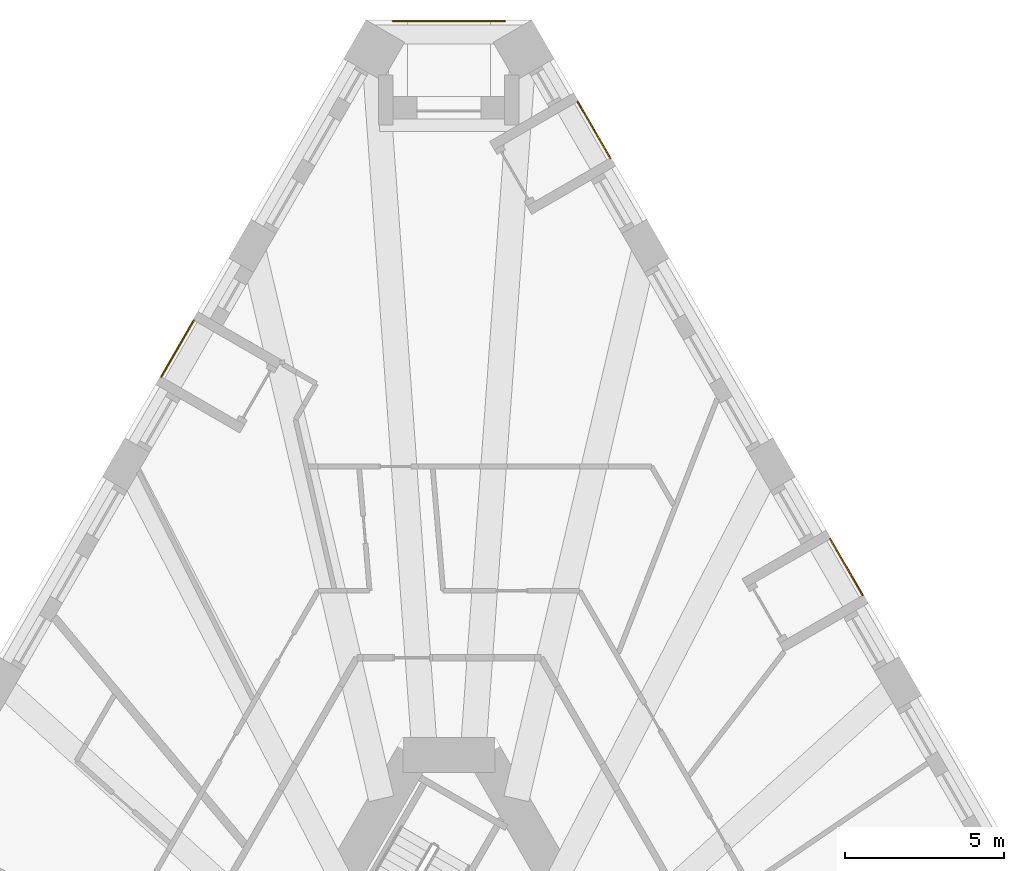
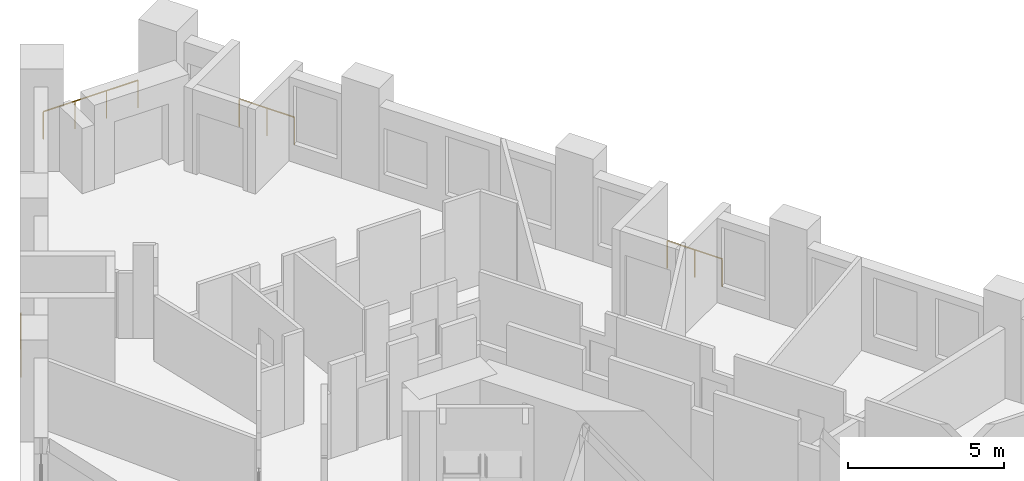
# One storey, part 14 of 14: 4 railings.
"""IFC4 building model written with IfcOpenShell, lengths in metres."""

from ifc_helpers import new_model, si_unit, direction, frame, origin, origin_2d, place, context, subcontext, project, spatial, circle, extrude, material, type_object, element, save


model = new_model("IFC4")

# Units and contexts
model_context = context("Model", 3, precision=1e-05, world=origin(), true_north=direction((0.0, 1.0)))
body_context = subcontext(model_context, "Body", "Model", "MODEL_VIEW")
ifc_project = project(units=[si_unit("LENGTHUNIT", "METRE"), si_unit("AREAUNIT", "SQUARE_METRE"), si_unit("VOLUMEUNIT", "CUBIC_METRE"), si_unit("PLANEANGLEUNIT", "RADIAN"), si_unit("MASSUNIT", "GRAM", prefix="KILO")], contexts=[model_context])

# Site, building, storey
site_placement = place(None, origin())
site = spatial("IfcSite", under=ifc_project, at=site_placement, CompositionType="ELEMENT")
building_placement = place(site_placement, origin())
building = spatial("IfcBuilding", under=site, at=building_placement, Name="Tramontana Tower", CompositionType="ELEMENT")
storey_placement = place(building_placement, frame((0.0, 0.0, 38.0)))
storey = spatial("IfcBuildingStorey", under=building, at=storey_placement, Name="L07", CompositionType="ELEMENT", Elevation=38.0)

# Railings
ifc_material = material(Name="Laminated glass balustrade", Category="glass")
railing_type = type_object("IfcRailingType", Name="GD1 Loggia glass balustrade 1100", PredefinedType="BALUSTRADE", material=ifc_material)
railing_1_placement = place(storey_placement, frame((-8.000732421875, 24.082275390625, 0.0)))
element("IfcRailing", 1, at=railing_1_placement, inside=storey, type_object=railing_type, Name="Loggia balustrade L07 G0S0.4", PredefinedType="BALUSTRADE", context=body_context, shape_type="SweptSolid", body=[
    extrude(circle(Radius=0.02392578125, at=origin_2d()), frame((0.0, 0.0, 1.076171875), z_axis=(-0.499950448838, -0.866054010271, 0.0), x_axis=(0.866054010271, -0.499950448838, 0.0)), (0.0, 0.0, 1.0), 2.039306640625),
    extrude(circle(Radius=0.02099609375, at=origin_2d()), origin(), (0.0, 0.0, 1.0), 1.052001953125),
    extrude(circle(Radius=0.02099609375, at=origin_2d()), frame((-0.509765625, -0.883056640625, 0.0)), (0.0, 0.0, 1.0), 1.052001953125),
    extrude(circle(Radius=0.02099609375, at=origin_2d()), frame((-1.01953125, -1.76611328125, 0.0)), (0.0, 0.0, 1.0), 1.052001953125),
])
railing_2_placement = place(storey_placement, frame((12.979248046875, 15.458984375, 0.0)))
element("IfcRailing", 2, at=railing_2_placement, inside=storey, type_object=railing_type, Name="Loggia balustrade L07 G0S2.13", PredefinedType="BALUSTRADE", context=body_context, shape_type="SweptSolid", body=[
    extrude(circle(Radius=0.02392578125, at=origin_2d()), frame((0.0, 0.0, 1.076171875), z_axis=(-0.499950448838, 0.866054010271, 0.0), x_axis=(-0.866054010271, -0.499950448838, 0.0)), (0.0, 0.0, 1.0), 2.039306640625),
    extrude(circle(Radius=0.02099609375, at=origin_2d()), origin(), (0.0, 0.0, 1.0), 1.052001953125),
    extrude(circle(Radius=0.02099609375, at=origin_2d()), frame((-0.509765625, 0.883056640625, 0.0)), (0.0, 0.0, 1.0), 1.052001953125),
    extrude(circle(Radius=0.02099609375, at=origin_2d()), frame((-1.01953125, 1.76611328125, 0.0)), (0.0, 0.0, 1.0), 1.052001953125),
])
railing_3_placement = place(storey_placement, frame((5.0615234375, 29.17333984375, 0.0)))
element("IfcRailing", 3, at=railing_3_placement, inside=storey, type_object=railing_type, Name="Loggia balustrade L07 G0S2.19", PredefinedType="BALUSTRADE", context=body_context, shape_type="SweptSolid", body=[
    extrude(circle(Radius=0.02392578125, at=origin_2d()), frame((0.0, 0.0, 1.076171875), z_axis=(-0.500040236659, 0.866002171892, 0.0), x_axis=(-0.866002171892, -0.500040236659, 0.0)), (0.0, 0.0, 1.0), 2.039306640625),
    extrude(circle(Radius=0.02099609375, at=origin_2d()), origin(), (0.0, 0.0, 1.0), 1.052001953125),
    extrude(circle(Radius=0.02099609375, at=origin_2d()), frame((-0.509765625, 0.883056640625, 0.0)), (0.0, 0.0, 1.0), 1.052001953125),
    extrude(circle(Radius=0.02099609375, at=origin_2d()), frame((-1.019775390625, 1.76611328125, 0.0)), (0.0, 0.0, 1.0), 1.052001953125),
])
railing_4_placement = place(storey_placement, frame((-1.75, 33.469970703125, 0.0)))
element("IfcRailing", 4, at=railing_4_placement, inside=storey, type_object=railing_type, Name="Corner loggia balustrade L07 K00", PredefinedType="BALUSTRADE", context=body_context, shape_type="SweptSolid", body=[
    extrude(circle(Radius=0.02392578125, at=origin_2d()), frame((0.0, 0.0, 1.076171875), z_axis=(1.0, 0.0, 0.0), x_axis=(0.0, 1.0, 0.0)), (0.0, 0.0, 1.0), 3.5),
    extrude(circle(Radius=0.02099609375, at=origin_2d()), origin(), (0.0, 0.0, 1.0), 1.052001953125),
    extrude(circle(Radius=0.02099609375, at=origin_2d()), frame((1.166748046875, 0.0, 0.0)), (0.0, 0.0, 1.0), 1.052001953125),
    extrude(circle(Radius=0.02099609375, at=origin_2d()), frame((2.333251953125, 0.0, 0.0)), (0.0, 0.0, 1.0), 1.052001953125),
    extrude(circle(Radius=0.02099609375, at=origin_2d()), frame((3.5, 0.0, 0.0)), (0.0, 0.0, 1.0), 1.052001953125),
])

save(model, "model.ifc")
